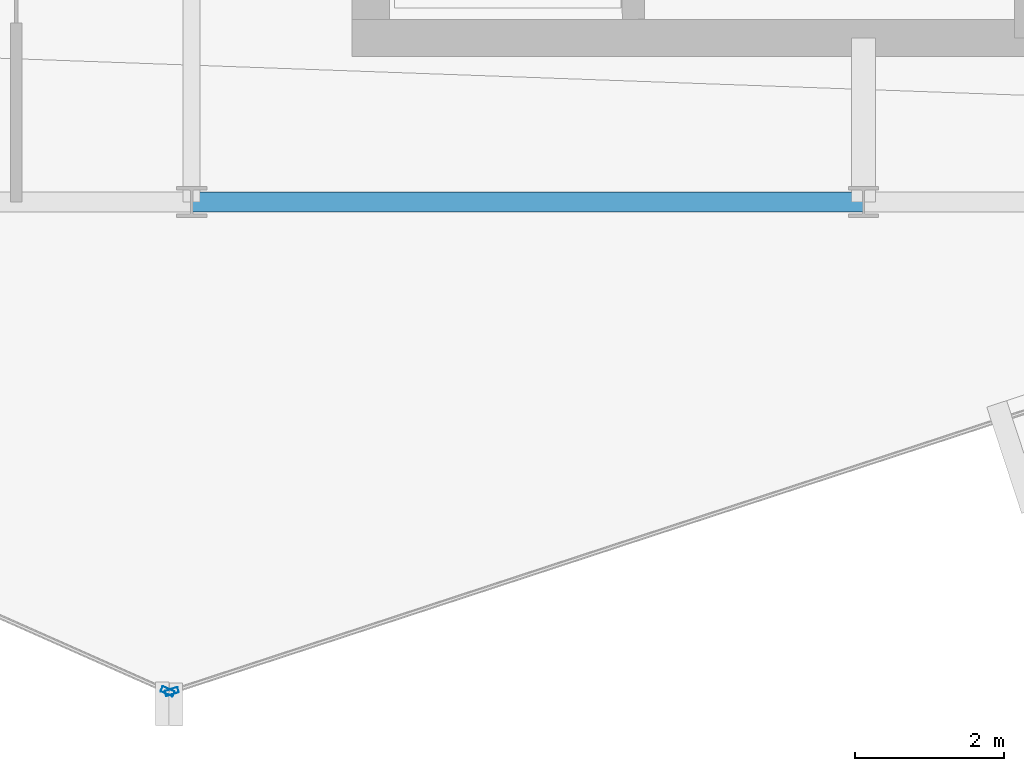
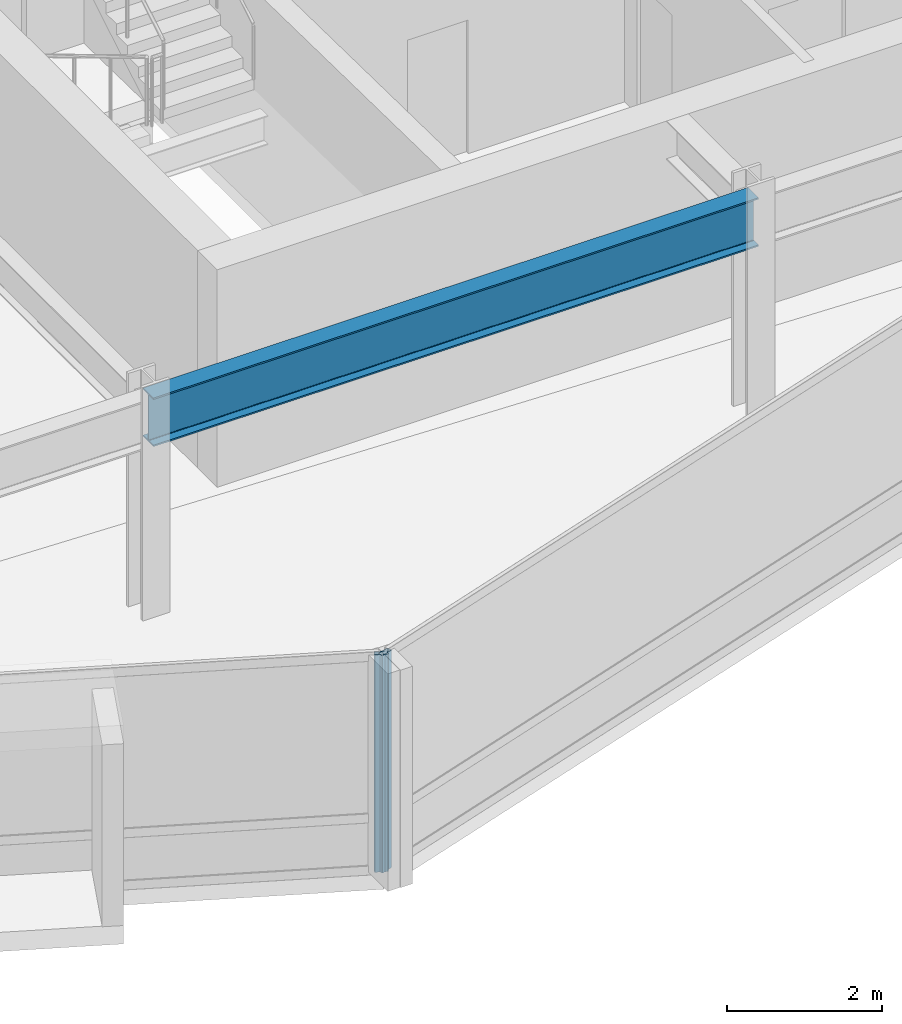
# One storey, part 4 of 27: 2 members, 1 beam, 2 elements without a shape of their own.
"""IFC4 building model written with IfcOpenShell, lengths in metres."""

from ifc_helpers import new_model, si_unit, direction, frame, origin, origin_2d, place, context, subcontext, project, spatial, hollow_rectangle, i_section, extrude, material, layer, layer_set, material_profile, profile_set, type_object, element, aggregate, save


model = new_model("IFC4")

# Units and contexts
model_context = context("Model", 3, precision=1e-05, world=origin(), true_north=direction((0.0, 1.0)))
body_context = subcontext(model_context, "Body", "Model", "MODEL_VIEW")
ifc_project = project(units=[si_unit("LENGTHUNIT", "METRE"), si_unit("AREAUNIT", "SQUARE_METRE"), si_unit("VOLUMEUNIT", "CUBIC_METRE"), si_unit("PLANEANGLEUNIT", "RADIAN"), si_unit("MASSUNIT", "GRAM", prefix="KILO")], contexts=[model_context])

# Site, building, storey
site_placement = place(None, origin())
site = spatial("IfcSite", under=ifc_project, at=site_placement, CompositionType="ELEMENT")
building_placement = place(site_placement, origin())
building = spatial("IfcBuilding", under=site, at=building_placement, Name="Solvaryn Broadcast Tower", CompositionType="ELEMENT")
storey_placement = place(building_placement, frame((0.0, 0.0, 174.199951171875)))
storey = spatial("IfcBuildingStorey", under=building, at=storey_placement, Name="L43", CompositionType="ELEMENT", Elevation=174.199951171875)

# Beam
ifc_material_1 = material(Name="Steel ASTM A992 Grade 50", Category="steel")
ifc_material_profile_1 = material_profile(ifc_material_1, i_section(OverallWidth=0.26708984375, OverallDepth=0.76611328125, WebThickness=0.014892578125, FlangeThickness=0.023681640625, FilletRadius=0.01806640625, at=origin_2d()))
ifc_profile_set_1 = profile_set([ifc_material_profile_1], Name="Steel ASTM A992 Grade 50")
beam_type = type_object("IfcBeamType", Name="BM-SP2-W30X124", PredefinedType="USERDEFINED", material=ifc_profile_set_1)
beam_placement = place(storey_placement, frame((27.0, 9.0, 3.037109375), z_axis=(1.0, 0.0, 0.0), x_axis=(0.0, 1.0, 0.0)))
element("IfcBeam", 1, at=beam_placement, inside=storey, type_object=beam_type, Name="L43 Spandrel Beam X (27-36 @ Y=9)", ObjectType="SPANDREL", PredefinedType="USERDEFINED", context=body_context, shape_type="SweptSolid", body=[
    extrude(i_section(OverallWidth=0.26708984375, OverallDepth=0.76611328125, WebThickness=0.014892578125, FlangeThickness=0.023681640625, FilletRadius=0.01806640625, at=origin_2d()), origin(), (0.0, 0.0, 1.0), 9.0),
])

# Curtain wall, member
ifc_material_2 = material(Name="Aluminium and Terracotta Unitised Curtain Wall", Category="masonry")
ifc_layer = layer(ifc_material_2, 0.199951171875)
ifc_layer_set = layer_set([ifc_layer], Name="CW-SYS2-LOWMID")
curtain_wall_type = type_object("IfcCurtainWallType", Name="CW-SYS2-LOWMID", PredefinedType="NOTDEFINED", material=ifc_layer_set)
curtain_wall_1_placement = place(storey_placement, origin())
curtain_wall_1 = element("IfcCurtainWall", 2, at=curtain_wall_1_placement, inside=storey, type_object=curtain_wall_type, Name="L43 Curtain Wall DR3", PredefinedType="NOTDEFINED")
ifc_material_3 = material(Name="Anodised Aluminium 6063-T6", Category="aluminium")
ifc_material_profile_2 = material_profile(ifc_material_3, hollow_rectangle(XDim=0.074951171875, YDim=0.179931640625, WallThickness=0.00390625, InnerFilletRadius=0.00390625, OuterFilletRadius=0.008056640625, at=origin_2d()))
ifc_profile_set_2 = profile_set([ifc_material_profile_2], Name="Anodised Aluminium 6063-T6")
member_type = type_object("IfcMemberType", Name="CW-MUL-180", PredefinedType="MULLION", material=ifc_profile_set_2)
member_1_placement = place(storey_placement, frame((26.678466796875, 2.445068359375, 0.0), z_axis=(0.0, 0.0, 1.0), x_axis=(0.405901337237, 0.913916902365, 0.0)))
member_1 = element("IfcMember", 3, at=member_1_placement, type_object=member_type, Name="CWS2 mullion 2", PredefinedType="MULLION", context=body_context, shape_type="SweptSolid", body=[
    extrude(hollow_rectangle(XDim=0.074951171875, YDim=0.179931640625, WallThickness=0.00390625, InnerFilletRadius=0.00390625, OuterFilletRadius=0.008056640625, at=origin_2d()), origin(), (0.0, 0.0, 1.0), 3.420166015625),
])
aggregate(curtain_wall_1, [member_1])

curtain_wall_2_placement = place(storey_placement, origin())
curtain_wall_2 = element("IfcCurtainWall", 4, at=curtain_wall_2_placement, inside=storey, type_object=curtain_wall_type, Name="L43 Curtain Wall DR4", PredefinedType="NOTDEFINED")
member_2_placement = place(storey_placement, frame((26.734619140625, 2.4423828125, 0.0), z_axis=(0.0, 0.0, 1.0), x_axis=(-0.311558717623, 0.950226902099, 0.0)))
member_2 = element("IfcMember", 5, at=member_2_placement, type_object=member_type, Name="CWS2 mullion 1", PredefinedType="MULLION", context=body_context, shape_type="SweptSolid", body=[
    extrude(hollow_rectangle(XDim=0.074951171875, YDim=0.179931640625, WallThickness=0.00390625, InnerFilletRadius=0.00390625, OuterFilletRadius=0.008056640625, at=origin_2d()), origin(), (0.0, 0.0, 1.0), 3.420166015625),
])
aggregate(curtain_wall_2, [member_2])

save(model, "model.ifc")
